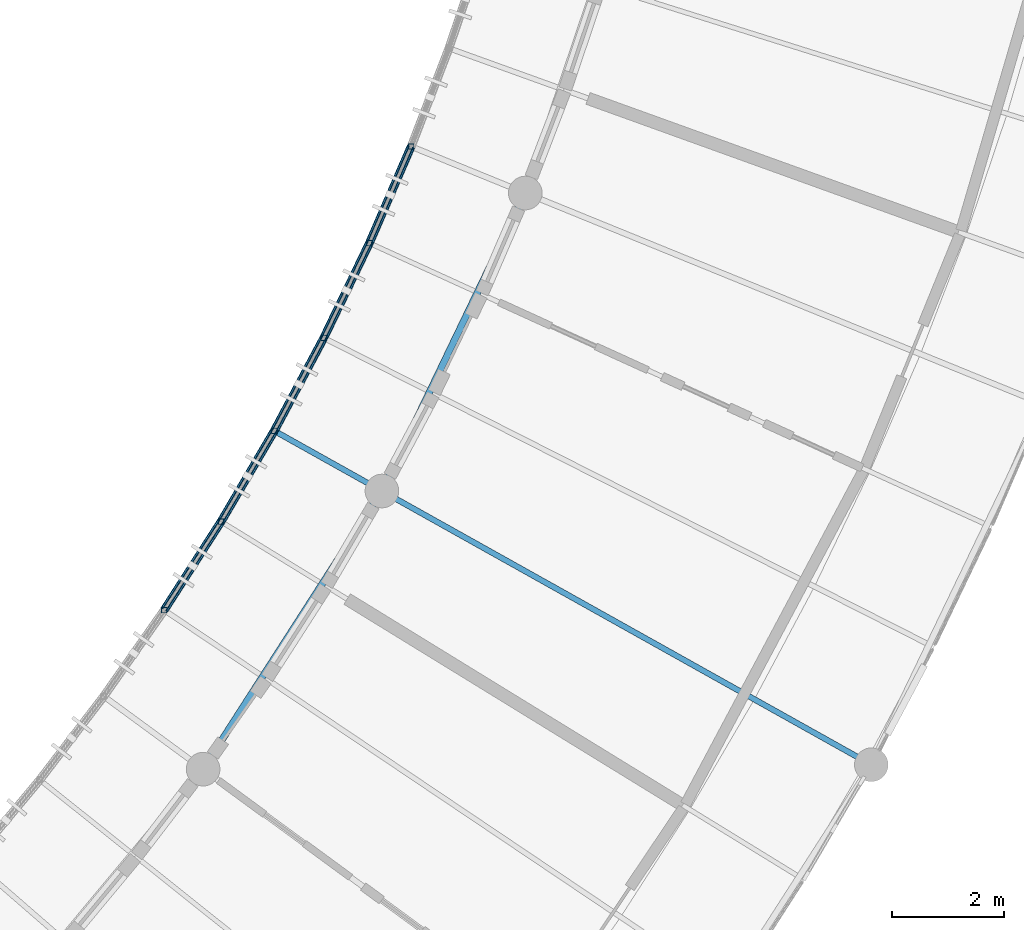
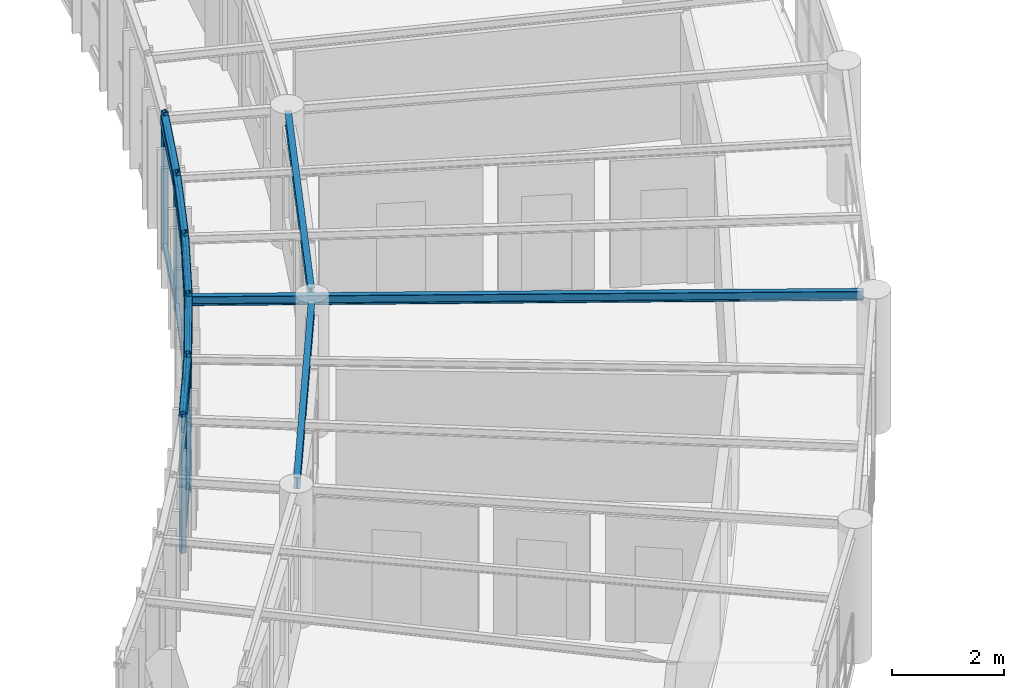
# One storey, part 14 of 100: 16 members, 8 beams.
"""IFC4 building model written with IfcOpenShell, lengths in metres."""

from ifc_helpers import new_model, si_unit, direction, frame, origin, origin_2d, place, context, subcontext, project, spatial, hollow_rectangle, i_section, extrude, material, material_profile, profile_set, type_object, element, save


model = new_model("IFC4")

# Units and contexts
model_context = context("Model", 3, precision=1e-05, world=origin(), true_north=direction((0.0, 1.0)))
body_context = subcontext(model_context, "Body", "Model", "MODEL_VIEW")
ifc_project = project(units=[si_unit("LENGTHUNIT", "METRE"), si_unit("AREAUNIT", "SQUARE_METRE"), si_unit("VOLUMEUNIT", "CUBIC_METRE"), si_unit("PLANEANGLEUNIT", "RADIAN"), si_unit("MASSUNIT", "GRAM", prefix="KILO"), si_unit("POWERUNIT", "WATT"), si_unit("THERMODYNAMICTEMPERATUREUNIT", "KELVIN")], contexts=[model_context])

# Site, building, storey
site_placement = place(None, origin())
site = spatial("IfcSite", under=ifc_project, at=site_placement, CompositionType="ELEMENT")
building_placement = place(site_placement, origin())
building = spatial("IfcBuilding", under=site, at=building_placement, Name="Ruvembo Vaulted Housing Court", CompositionType="ELEMENT")
storey_placement = place(building_placement, frame((0.0, 0.0, 14.10009765625)))
storey = spatial("IfcBuildingStorey", under=building, at=storey_placement, Name="L04", CompositionType="ELEMENT", Elevation=14.10009765625)

# Beams
ifc_material = material(Name="Steel S355J2", Category="steel")
ifc_material_profile_1 = material_profile(ifc_material, i_section(OverallWidth=0.10009765625, OverallDepth=0.199951171875, WebThickness=0.005615234375, FlangeThickness=0.008544921875, FilletRadius=0.011962890625, at=origin_2d()), Name="IPE 200")
ifc_profile_set_1 = profile_set([ifc_material_profile_1], Name="Steel S355J2")
beam_type_1 = type_object("IfcBeamType", Name="BM-ST-IPE200", PredefinedType="BEAM", material=ifc_profile_set_1)
beam_1_placement = place(storey_placement, frame((52.455078125, 45.781494140625, 2.83984375), z_axis=(-0.872779506207, 0.488114672537, 0.0), x_axis=(-0.488114672537, -0.872779506207, 0.0)))
element("IfcBeam", 1, at=beam_1_placement, inside=storey, type_object=beam_type_1, Name="Scoop SC1 L04 Radial Steel Joist 6", PredefinedType="BEAM", context=body_context, shape_type="SweptSolid", body=[
    extrude(i_section(OverallWidth=0.10009765625, OverallDepth=0.199951171875, WebThickness=0.005615234375, FlangeThickness=0.008544921875, FilletRadius=0.011962890625, at=origin_2d()), origin(), (0.0, 0.0, 1.0), 12.050048828125),
])
ifc_material_profile_2 = material_profile(ifc_material, i_section(OverallWidth=0.1201171875, OverallDepth=0.239990234375, WebThickness=0.006103515625, FlangeThickness=0.009765625, FilletRadius=0.014892578125, at=origin_2d()), Name="IPE 240")
ifc_profile_set_2 = profile_set([ifc_material_profile_2], Name="Steel S355J2")
beam_type_2 = type_object("IfcBeamType", Name="BM-ST-IPE240", PredefinedType="BEAM", material=ifc_profile_set_2)
beam_2_placement = place(storey_placement, frame((40.806884765625, 45.76953125, 2.822021484375), z_axis=(0.540775484227, 0.84116697252, 0.0), x_axis=(-0.84116697252, 0.540775484227, 0.0)))
element("IfcBeam", 2, at=beam_2_placement, inside=storey, type_object=beam_type_2, Name="Scoop SC1 L04 Chord Girder F3", PredefinedType="BEAM", context=body_context, shape_type="SweptSolid", body=[
    extrude(i_section(OverallWidth=0.1201171875, OverallDepth=0.239990234375, WebThickness=0.006103515625, FlangeThickness=0.009765625, FilletRadius=0.014892578125, at=origin_2d()), origin(), (0.0, 0.0, 1.0), 5.516845703125),
])
beam_3_placement = place(storey_placement, frame((43.9755859375, 50.7412109375, 2.822021484375), z_axis=(0.433585422929, 0.901112468576, 0.0), x_axis=(-0.901112468576, 0.433585422929, 0.0)))
element("IfcBeam", 3, at=beam_3_placement, inside=storey, type_object=beam_type_2, Name="Scoop SC1 L04 Chord Girder F6", PredefinedType="BEAM", context=body_context, shape_type="SweptSolid", body=[
    extrude(i_section(OverallWidth=0.1201171875, OverallDepth=0.239990234375, WebThickness=0.006103515625, FlangeThickness=0.009765625, FilletRadius=0.014892578125, at=origin_2d()), origin(), (0.0, 0.0, 1.0), 5.51708984375),
])
ifc_material_profile_3 = material_profile(ifc_material, hollow_rectangle(XDim=0.14990234375, YDim=0.25, WallThickness=0.010009765625, InnerFilletRadius=0.010009765625, OuterFilletRadius=0.02001953125, at=origin_2d()), Name="RHS 250x150x10")
ifc_profile_set_3 = profile_set([ifc_material_profile_3], Name="Steel S355J2")
beam_type_3 = type_object("IfcBeamType", Name="BM-ST-RHS250", PredefinedType="SPANDREL", material=ifc_profile_set_3)
beam_4_placement = place(storey_placement, frame((40.0087890625, 48.446533203125, 2.81494140625), z_axis=(0.540783890821, 0.841161567969, 0.0), x_axis=(-0.841161567969, 0.540783890821, 0.0)))
element("IfcBeam", 4, at=beam_4_placement, inside=storey, type_object=beam_type_3, Name="Scoop SC1 L04 Balcony Edge Spandrel 4", PredefinedType="SPANDREL", context=body_context, shape_type="SweptSolid", body=[
    extrude(hollow_rectangle(XDim=0.14990234375, YDim=0.25, WallThickness=0.010009765625, InnerFilletRadius=0.010009765625, OuterFilletRadius=0.02001953125, at=origin_2d()), origin(), (0.0, 0.0, 1.0), 1.876708984375),
])
beam_5_placement = place(storey_placement, frame((41.023681640625, 50.025146484375, 2.81494140625), z_axis=(0.505859733288, 0.862615748893, 0.0), x_axis=(-0.862615748893, 0.505859733288, 0.0)))
element("IfcBeam", 5, at=beam_5_placement, inside=storey, type_object=beam_type_3, Name="Scoop SC1 L04 Balcony Edge Spandrel 5", PredefinedType="SPANDREL", context=body_context, shape_type="SweptSolid", body=[
    extrude(hollow_rectangle(XDim=0.14990234375, YDim=0.25, WallThickness=0.010009765625, InnerFilletRadius=0.010009765625, OuterFilletRadius=0.02001953125, at=origin_2d()), origin(), (0.0, 0.0, 1.0), 1.87646484375),
])
beam_6_placement = place(storey_placement, frame((41.972900390625, 51.643798828125, 2.81494140625), z_axis=(0.470115552325, 0.882604876183, 0.0), x_axis=(-0.882604876183, 0.470115552325, 0.0)))
element("IfcBeam", 6, at=beam_6_placement, inside=storey, type_object=beam_type_3, Name="Scoop SC1 L04 Balcony Edge Spandrel 6", PredefinedType="SPANDREL", context=body_context, shape_type="SweptSolid", body=[
    extrude(hollow_rectangle(XDim=0.14990234375, YDim=0.25, WallThickness=0.010009765625, InnerFilletRadius=0.010009765625, OuterFilletRadius=0.02001953125, at=origin_2d()), origin(), (0.0, 0.0, 1.0), 1.876708984375),
])
for number, where, z_axis, x_axis, name in (
    (7, (42.855224609375, 53.30029296875, 2.81494140625), (0.433631756601, 0.901090172883, 0.0), (-0.901090172883, 0.433631756601, 0.0), "Scoop SC1 L04 Balcony Edge Spandrel 7"),
    (8, (43.6689453125, 54.9912109375, 2.81494140625), (0.396288974503, 0.918125834887, 0.0), (-0.918125834887, 0.396288974503, 0.0), "Scoop SC1 L04 Balcony Edge Spandrel 8"),
):
    element("IfcBeam", number, at=place(storey_placement, frame(where, z_axis=z_axis, x_axis=x_axis)), inside=storey, type_object=beam_type_3, Name=name, PredefinedType="SPANDREL", context=body_context, shape_type="SweptSolid", body=[
        extrude(hollow_rectangle(XDim=0.14990234375, YDim=0.25, WallThickness=0.010009765625, InnerFilletRadius=0.010009765625, OuterFilletRadius=0.02001953125, at=origin_2d()), origin(), (0.0, 0.0, 1.0), 1.87646484375),
    ])

# Members
ifc_material_profile_4 = material_profile(ifc_material, hollow_rectangle(XDim=0.06005859375, YDim=0.1201171875, WallThickness=0.0048828125, InnerFilletRadius=0.0048828125, OuterFilletRadius=0.010009765625, at=origin_2d()), Name="RHS 120x60x5")
ifc_profile_set_4 = profile_set([ifc_material_profile_4], Name="Steel S355J2")
member_type_1 = type_object("IfcMemberType", Name="MEM-CAR-RHS120", PredefinedType="CHORD", material=ifc_profile_set_4)
member_1_placement = place(storey_placement, frame((40.0087890625, 48.446533203125, 2.6328125), z_axis=(0.540783890821, 0.841161567969, 0.0), x_axis=(-0.841161567969, 0.540783890821, 0.0)))
element("IfcMember", 9, at=member_1_placement, inside=storey, type_object=member_type_1, Name="Scoop SC1 L04 Upper Louvre Carrier Rail 4", PredefinedType="CHORD", context=body_context, shape_type="SweptSolid", body=[
    extrude(hollow_rectangle(XDim=0.06005859375, YDim=0.1201171875, WallThickness=0.0048828125, InnerFilletRadius=0.0048828125, OuterFilletRadius=0.010009765625, at=origin_2d()), origin(), (0.0, 0.0, 1.0), 1.876708984375),
])
member_2_placement = place(storey_placement, frame((41.023681640625, 50.025146484375, 2.6328125), z_axis=(0.505859733288, 0.862615748893, 0.0), x_axis=(-0.862615748893, 0.505859733288, 0.0)))
element("IfcMember", 10, at=member_2_placement, inside=storey, type_object=member_type_1, Name="Scoop SC1 L04 Upper Louvre Carrier Rail 5", PredefinedType="CHORD", context=body_context, shape_type="SweptSolid", body=[
    extrude(hollow_rectangle(XDim=0.06005859375, YDim=0.1201171875, WallThickness=0.0048828125, InnerFilletRadius=0.0048828125, OuterFilletRadius=0.010009765625, at=origin_2d()), origin(), (0.0, 0.0, 1.0), 1.87646484375),
])
member_3_placement = place(storey_placement, frame((41.972900390625, 51.643798828125, 2.6328125), z_axis=(0.470115552325, 0.882604876183, 0.0), x_axis=(-0.882604876183, 0.470115552325, 0.0)))
element("IfcMember", 11, at=member_3_placement, inside=storey, type_object=member_type_1, Name="Scoop SC1 L04 Upper Louvre Carrier Rail 6", PredefinedType="CHORD", context=body_context, shape_type="SweptSolid", body=[
    extrude(hollow_rectangle(XDim=0.06005859375, YDim=0.1201171875, WallThickness=0.0048828125, InnerFilletRadius=0.0048828125, OuterFilletRadius=0.010009765625, at=origin_2d()), origin(), (0.0, 0.0, 1.0), 1.876708984375),
])
for number, where, z_axis, x_axis, name in (
    (12, (42.855224609375, 53.30029296875, 2.6328125), (0.433631756601, 0.901090172883, 0.0), (-0.901090172883, 0.433631756601, 0.0), "Scoop SC1 L04 Upper Louvre Carrier Rail 7"),
    (13, (43.6689453125, 54.9912109375, 2.6328125), (0.396288974503, 0.918125834887, 0.0), (-0.918125834887, 0.396288974503, 0.0), "Scoop SC1 L04 Upper Louvre Carrier Rail 8"),
):
    element("IfcMember", number, at=place(storey_placement, frame(where, z_axis=z_axis, x_axis=x_axis)), inside=storey, type_object=member_type_1, Name=name, PredefinedType="CHORD", context=body_context, shape_type="SweptSolid", body=[
        extrude(hollow_rectangle(XDim=0.06005859375, YDim=0.1201171875, WallThickness=0.0048828125, InnerFilletRadius=0.0048828125, OuterFilletRadius=0.010009765625, at=origin_2d()), origin(), (0.0, 0.0, 1.0), 1.87646484375),
    ])
ifc_material_profile_5 = material_profile(ifc_material, hollow_rectangle(XDim=0.080078125, YDim=0.14990234375, WallThickness=0.00634765625, InnerFilletRadius=0.00634765625, OuterFilletRadius=0.0126953125, at=origin_2d()), Name="RHS 150x80x6.3")
ifc_profile_set_5 = profile_set([ifc_material_profile_5], Name="Steel S355J2")
member_type_2 = type_object("IfcMemberType", Name="MEM-CAR-RHS150", PredefinedType="CHORD", material=ifc_profile_set_5)
member_4_placement = place(storey_placement, frame((40.0087890625, 48.446533203125, 0.094970703125), z_axis=(0.540783890821, 0.841161567969, 0.0), x_axis=(-0.841161567969, 0.540783890821, 0.0)))
element("IfcMember", 14, at=member_4_placement, inside=storey, type_object=member_type_2, Name="Scoop SC1 L04 Lower Louvre Carrier Rail 4", PredefinedType="CHORD", context=body_context, shape_type="SweptSolid", body=[
    extrude(hollow_rectangle(XDim=0.080078125, YDim=0.14990234375, WallThickness=0.00634765625, InnerFilletRadius=0.00634765625, OuterFilletRadius=0.0126953125, at=origin_2d()), origin(), (0.0, 0.0, 1.0), 1.876708984375),
])
member_5_placement = place(storey_placement, frame((41.023681640625, 50.025146484375, 0.094970703125), z_axis=(0.505859733288, 0.862615748893, 0.0), x_axis=(-0.862615748893, 0.505859733288, 0.0)))
element("IfcMember", 15, at=member_5_placement, inside=storey, type_object=member_type_2, Name="Scoop SC1 L04 Lower Louvre Carrier Rail 5", PredefinedType="CHORD", context=body_context, shape_type="SweptSolid", body=[
    extrude(hollow_rectangle(XDim=0.080078125, YDim=0.14990234375, WallThickness=0.00634765625, InnerFilletRadius=0.00634765625, OuterFilletRadius=0.0126953125, at=origin_2d()), origin(), (0.0, 0.0, 1.0), 1.87646484375),
])
member_6_placement = place(storey_placement, frame((41.972900390625, 51.643798828125, 0.094970703125), z_axis=(0.470115552325, 0.882604876183, 0.0), x_axis=(-0.882604876183, 0.470115552325, 0.0)))
element("IfcMember", 16, at=member_6_placement, inside=storey, type_object=member_type_2, Name="Scoop SC1 L04 Lower Louvre Carrier Rail 6", PredefinedType="CHORD", context=body_context, shape_type="SweptSolid", body=[
    extrude(hollow_rectangle(XDim=0.080078125, YDim=0.14990234375, WallThickness=0.00634765625, InnerFilletRadius=0.00634765625, OuterFilletRadius=0.0126953125, at=origin_2d()), origin(), (0.0, 0.0, 1.0), 1.876708984375),
])
for number, where, z_axis, x_axis, name in (
    (17, (42.855224609375, 53.30029296875, 0.094970703125), (0.433631756601, 0.901090172883, 0.0), (-0.901090172883, 0.433631756601, 0.0), "Scoop SC1 L04 Lower Louvre Carrier Rail 7"),
    (18, (43.6689453125, 54.9912109375, 0.094970703125), (0.396288974503, 0.918125834887, 0.0), (-0.918125834887, 0.396288974503, 0.0), "Scoop SC1 L04 Lower Louvre Carrier Rail 8"),
):
    element("IfcMember", number, at=place(storey_placement, frame(where, z_axis=z_axis, x_axis=x_axis)), inside=storey, type_object=member_type_2, Name=name, PredefinedType="CHORD", context=body_context, shape_type="SweptSolid", body=[
        extrude(hollow_rectangle(XDim=0.080078125, YDim=0.14990234375, WallThickness=0.00634765625, InnerFilletRadius=0.00634765625, OuterFilletRadius=0.0126953125, at=origin_2d()), origin(), (0.0, 0.0, 1.0), 1.87646484375),
    ])
ifc_material_profile_6 = material_profile(ifc_material, hollow_rectangle(XDim=0.10009765625, YDim=0.10009765625, WallThickness=0.00634765625, InnerFilletRadius=0.00634765625, OuterFilletRadius=0.0126953125, at=origin_2d()), Name="SHS 100x100x6.3")
ifc_profile_set_6 = profile_set([ifc_material_profile_6], Name="Steel S355J2")
member_type_3 = type_object("IfcMemberType", Name="MEM-FRM-SHS100", PredefinedType="STRUT", material=ifc_profile_set_6)
for number, where, z_axis, x_axis, name in (
    (19, (40.0087890625, 48.446533203125, -0.01513671875), (0.0, 0.0, 1.0), (1.0, 0.0, 0.0), "Scoop SC1 L04 Louvre Frame Post 4"),
    (20, (41.023681640625, 50.025146484375, -0.01513671875), (0.0, 0.0, 1.0), (1.0, 0.0, 0.0), "Scoop SC1 L04 Louvre Frame Post 5"),
    (21, (41.972900390625, 51.643798828125, -0.01513671875), (0.0, 0.0, 1.0), (1.0, 0.0, 0.0), "Scoop SC1 L04 Louvre Frame Post 6"),
    (22, (42.855224609375, 53.30029296875, -0.01513671875), (0.0, 0.0, 1.0), (1.0, 0.0, 0.0), "Scoop SC1 L04 Louvre Frame Post 7"),
    (23, (43.6689453125, 54.9912109375, -0.01513671875), (0.0, 0.0, 1.0), (1.0, 0.0, 0.0), "Scoop SC1 L04 Louvre Frame Post 8"),
    (24, (44.41259765625, 56.714111328125, -0.01513671875), (0.0, 0.0, 1.0), (1.0, 0.0, 0.0), "Scoop SC1 L04 Louvre Frame Post 9"),
):
    element("IfcMember", number, at=place(storey_placement, frame(where, z_axis=z_axis, x_axis=x_axis)), inside=storey, type_object=member_type_3, Name=name, PredefinedType="STRUT", context=body_context, shape_type="SweptSolid", body=[
        extrude(hollow_rectangle(XDim=0.10009765625, YDim=0.10009765625, WallThickness=0.00634765625, InnerFilletRadius=0.00634765625, OuterFilletRadius=0.0126953125, at=origin_2d()), origin(), (0.0, 0.0, 1.0), 3.02294921875),
    ])

save(model, "model.ifc")
